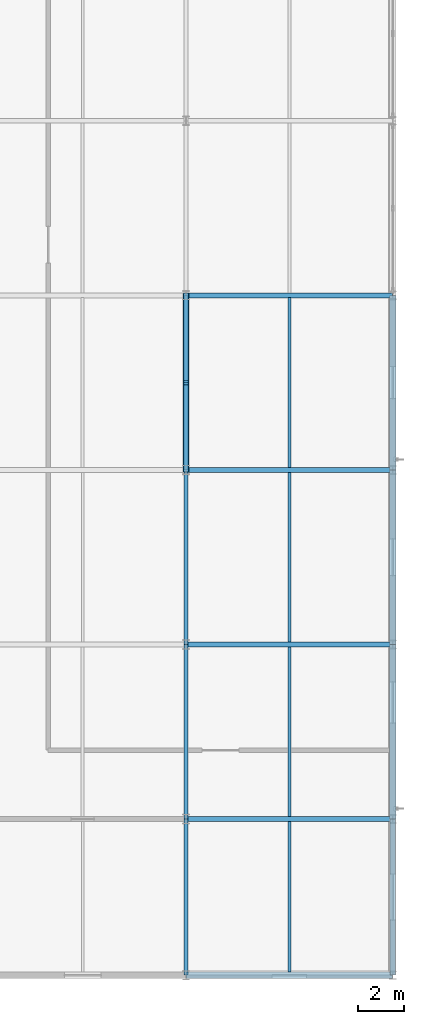
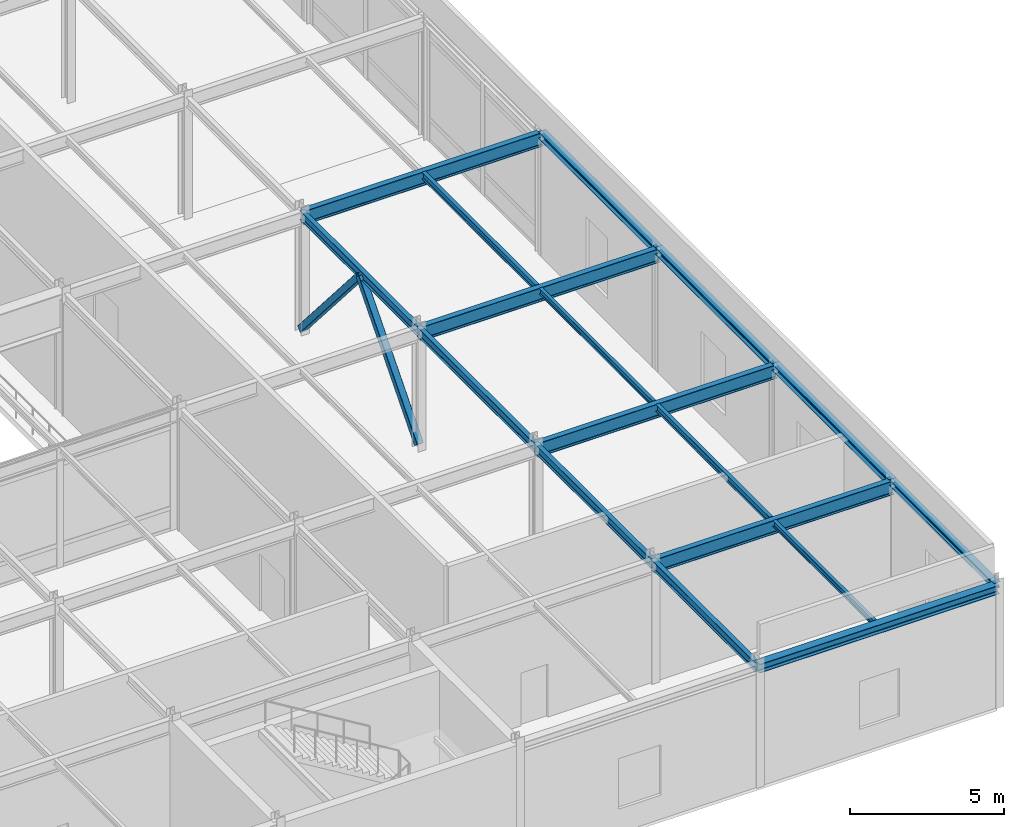
# One storey, part 45 of 79: 17 beams, 2 members.
"""IFC4 building model written with IfcOpenShell, lengths in metres."""

from ifc_helpers import new_model, si_unit, direction, frame, origin, origin_2d, place, context, subcontext, project, spatial, hollow_rectangle, i_section, extrude, material, material_profile, profile_set, type_object, element, save


model = new_model("IFC4")

# Units and contexts
model_context = context("Model", 3, precision=1e-05, world=origin(), true_north=direction((0.0, 1.0)))
body_context = subcontext(model_context, "Body", "Model", "MODEL_VIEW")
ifc_project = project(units=[si_unit("LENGTHUNIT", "METRE"), si_unit("AREAUNIT", "SQUARE_METRE"), si_unit("VOLUMEUNIT", "CUBIC_METRE"), si_unit("PLANEANGLEUNIT", "RADIAN"), si_unit("MASSUNIT", "GRAM", prefix="KILO")], contexts=[model_context])

# Site, building, storey
site_placement = place(None, origin())
site = spatial("IfcSite", under=ifc_project, at=site_placement, CompositionType="ELEMENT")
building_placement = place(site_placement, origin())
building = spatial("IfcBuilding", under=site, at=building_placement, Name="Shalkamar Park Central Library", CompositionType="ELEMENT")
storey_placement = place(building_placement, frame((0.0, 0.0, 10.5)))
storey = spatial("IfcBuildingStorey", under=building, at=storey_placement, Name="L03", CompositionType="ELEMENT", Elevation=10.5)

# Beams
ifc_material = material(Name="Steel S355", Category="steel")
ifc_material_profile_1 = material_profile(ifc_material, i_section(OverallWidth=0.1201171875, OverallDepth=0.239990234375, WebThickness=0.006103515625, FlangeThickness=0.009765625, FilletRadius=0.014892578125, at=origin_2d()), Name="IPE 240")
ifc_profile_set_1 = profile_set([ifc_material_profile_1], Name="Steel S355")
beam_type_1 = type_object("IfcBeamType", Name="Composite Floor Joist IPE240", PredefinedType="JOIST", material=ifc_profile_set_1)
beam_1_placement = place(storey_placement, frame((268.5, 248.548095703125, 4.72998046875), z_axis=(0.0, 1.0, 0.0), x_axis=(-1.0, 0.0, 0.0)))
element("IfcBeam", 1, at=beam_1_placement, inside=storey, type_object=beam_type_1, Name="Composite Joist 19/B-1 (L03)", PredefinedType="JOIST", context=body_context, shape_type="SweptSolid", body=[
    extrude(i_section(OverallWidth=0.1201171875, OverallDepth=0.239990234375, WebThickness=0.006103515625, FlangeThickness=0.009765625, FilletRadius=0.014892578125, at=origin_2d()), origin(), (0.0, 0.0, 1.0), 6.548828125),
])
beam_2_placement = place(storey_placement, frame((268.5, 262.903076171875, 4.72998046875), z_axis=(0.0, 1.0, 0.0), x_axis=(-1.0, 0.0, 0.0)))
element("IfcBeam", 2, at=beam_2_placement, inside=storey, type_object=beam_type_1, Name="Composite Joist 19/D-1 (L03)", PredefinedType="JOIST", context=body_context, shape_type="SweptSolid", body=[
    extrude(i_section(OverallWidth=0.1201171875, OverallDepth=0.239990234375, WebThickness=0.006103515625, FlangeThickness=0.009765625, FilletRadius=0.014892578125, at=origin_2d()), origin(), (0.0, 0.0, 1.0), 7.39404296875),
])
ifc_material_profile_2 = material_profile(ifc_material, i_section(OverallWidth=0.135009765625, OverallDepth=0.27001953125, WebThickness=0.006591796875, FlangeThickness=0.01025390625, FilletRadius=0.014892578125, at=origin_2d()), Name="IPE 270")
ifc_profile_set_2 = profile_set([ifc_material_profile_2], Name="Steel S355")
beam_type_2 = type_object("IfcBeamType", Name="Composite Floor Joist IPE270", PredefinedType="JOIST", material=ifc_profile_set_2)
for number, where, z_axis, x_axis, name in (
    (3, (268.5, 255.302978515625, 4.715087890625), (0.0, 1.0, 0.0), (-1.0, 0.0, 0.0), "Composite Joist 19/C-1 (L03)"),
    (4, (268.5, 270.5029296875, 4.715087890625), (0.0, 1.0, 0.0), (-1.0, 0.0, 0.0), "Composite Joist 19/E-1 (L03)"),
):
    element("IfcBeam", number, at=place(storey_placement, frame(where, z_axis=z_axis, x_axis=x_axis)), inside=storey, type_object=beam_type_2, Name=name, PredefinedType="JOIST", context=body_context, shape_type="SweptSolid", body=[
        extrude(i_section(OverallWidth=0.135009765625, OverallDepth=0.27001953125, WebThickness=0.006591796875, FlangeThickness=0.01025390625, FilletRadius=0.014892578125, at=origin_2d()), origin(), (0.0, 0.0, 1.0), 7.39404296875),
    ])

# Members
ifc_material_profile_3 = material_profile(ifc_material, hollow_rectangle(XDim=0.25, YDim=0.25, WallThickness=0.012451171875, InnerFilletRadius=0.012451171875, OuterFilletRadius=0.018798828125, at=origin_2d()), Name="SHS 250x250x12.5")
ifc_profile_set_3 = profile_set([ifc_material_profile_3], Name="Steel S355")
member_type = type_object("IfcMemberType", Name="Diagonal Brace SHS250", PredefinedType="BRACE", material=ifc_profile_set_3)
for number, where, z_axis, x_axis, name in (
    (5, (264.0, 270.39990234375, 0.14990234375), (0.0, 0.654464586562, 0.756092656316), (-1.0, 0.0, 0.0), "Chevron Brace PD-E Leg A (L03)"),
    (6, (264.0, 278.0, 0.14990234375), (0.0, -0.654464586562, 0.756092656316), (1.0, 0.0, 0.0), "Chevron Brace PD-E Leg B (L03)"),
):
    element("IfcMember", number, at=place(storey_placement, frame(where, z_axis=z_axis, x_axis=x_axis)), inside=storey, type_object=member_type, Name=name, PredefinedType="BRACE", context=body_context, shape_type="SweptSolid", body=[
        extrude(hollow_rectangle(XDim=0.25, YDim=0.25, WallThickness=0.012451171875, InnerFilletRadius=0.012451171875, OuterFilletRadius=0.018798828125, at=origin_2d()), origin(), (0.0, 0.0, 1.0), 5.806396484375),
    ])

# Beams
ifc_material_profile_4 = material_profile(ifc_material, i_section(OverallWidth=0.239990234375, OverallDepth=0.22998046875, WebThickness=0.007568359375, FlangeThickness=0.011962890625, FilletRadius=0.02099609375, at=origin_2d()), Name="HEA 240")
ifc_profile_set_4 = profile_set([ifc_material_profile_4], Name="Steel S355")
beam_type_3 = type_object("IfcBeamType", Name="Perimeter Spandrel Beam HEA240", PredefinedType="SPANDREL", material=ifc_profile_set_4)
beam_3_placement = place(storey_placement, frame((273.0, 248.39990234375, 4.735107421875), z_axis=(0.0, 1.0, 0.0), x_axis=(-1.0, 0.0, 0.0)))
element("IfcBeam", 7, at=beam_3_placement, inside=storey, type_object=beam_type_3, Name="Beam 20:B-C (L03)", PredefinedType="SPANDREL", context=body_context, shape_type="SweptSolid", body=[
    extrude(i_section(OverallWidth=0.239990234375, OverallDepth=0.22998046875, WebThickness=0.007568359375, FlangeThickness=0.011962890625, FilletRadius=0.02099609375, at=origin_2d()), origin(), (0.0, 0.0, 1.0), 6.800048828125),
])
ifc_material_profile_5 = material_profile(ifc_material, i_section(OverallWidth=0.280029296875, OverallDepth=0.27001953125, WebThickness=0.008056640625, FlangeThickness=0.012939453125, FilletRadius=0.02392578125, at=origin_2d()), Name="HEA 280")
ifc_profile_set_5 = profile_set([ifc_material_profile_5], Name="Steel S355")
beam_type_4 = type_object("IfcBeamType", Name="Perimeter Spandrel Beam HEA280", PredefinedType="SPANDREL", material=ifc_profile_set_5)
beam_4_placement = place(storey_placement, frame((273.0, 255.199951171875, 4.715087890625), z_axis=(0.0, 1.0, 0.0), x_axis=(-1.0, 0.0, 0.0)))
element("IfcBeam", 8, at=beam_4_placement, inside=storey, type_object=beam_type_4, Name="Beam 20:C-D (L03)", PredefinedType="SPANDREL", context=body_context, shape_type="SweptSolid", body=[
    extrude(i_section(OverallWidth=0.280029296875, OverallDepth=0.27001953125, WebThickness=0.008056640625, FlangeThickness=0.012939453125, FilletRadius=0.02392578125, at=origin_2d()), origin(), (0.0, 0.0, 1.0), 7.60009765625),
])
beam_5_placement = place(storey_placement, frame((273.0, 262.800048828125, 4.715087890625), z_axis=(0.0, 1.0, 0.0), x_axis=(-1.0, 0.0, 0.0)))
element("IfcBeam", 9, at=beam_5_placement, inside=storey, type_object=beam_type_4, Name="Beam 20:D-E (L03)", PredefinedType="SPANDREL", context=body_context, shape_type="SweptSolid", body=[
    extrude(i_section(OverallWidth=0.280029296875, OverallDepth=0.27001953125, WebThickness=0.008056640625, FlangeThickness=0.012939453125, FilletRadius=0.02392578125, at=origin_2d()), origin(), (0.0, 0.0, 1.0), 7.599853515625),
])
beam_6_placement = place(storey_placement, frame((273.0, 270.39990234375, 4.715087890625), z_axis=(0.0, 1.0, 0.0), x_axis=(-1.0, 0.0, 0.0)))
element("IfcBeam", 10, at=beam_6_placement, inside=storey, type_object=beam_type_4, Name="Beam 20:E-F (L03)", PredefinedType="SPANDREL", context=body_context, shape_type="SweptSolid", body=[
    extrude(i_section(OverallWidth=0.280029296875, OverallDepth=0.27001953125, WebThickness=0.008056640625, FlangeThickness=0.012939453125, FilletRadius=0.02392578125, at=origin_2d()), origin(), (0.0, 0.0, 1.0), 7.60009765625),
])
ifc_material_profile_6 = material_profile(ifc_material, i_section(OverallWidth=0.300048828125, OverallDepth=0.35009765625, WebThickness=0.010009765625, FlangeThickness=0.017578125, FilletRadius=0.027099609375, at=origin_2d()), Name="HEA 360")
ifc_profile_set_6 = profile_set([ifc_material_profile_6], Name="Steel S355")
beam_type_5 = type_object("IfcBeamType", Name="Perimeter Spandrel Beam HEA360", PredefinedType="SPANDREL", material=ifc_profile_set_6)
beam_7_placement = place(storey_placement, frame((264.0, 248.39990234375, 4.6650390625), z_axis=(1.0, 0.0, 0.0), x_axis=(0.0, 1.0, 0.0)))
element("IfcBeam", 11, at=beam_7_placement, inside=storey, type_object=beam_type_5, Name="Beam B:19-20 (L03)", PredefinedType="SPANDREL", context=body_context, shape_type="SweptSolid", body=[
    extrude(i_section(OverallWidth=0.300048828125, OverallDepth=0.35009765625, WebThickness=0.010009765625, FlangeThickness=0.017578125, FilletRadius=0.027099609375, at=origin_2d()), origin(), (0.0, 0.0, 1.0), 9.0),
])
ifc_material_profile_7 = material_profile(ifc_material, i_section(OverallWidth=0.169921875, OverallDepth=0.360107421875, WebThickness=0.008056640625, FlangeThickness=0.0126953125, FilletRadius=0.01806640625, at=origin_2d()), Name="IPE 360")
ifc_profile_set_7 = profile_set([ifc_material_profile_7], Name="Steel S355")
beam_type_6 = type_object("IfcBeamType", Name="Primary Girder IPE360", PredefinedType="BEAM", material=ifc_profile_set_7)
beam_8_placement = place(storey_placement, frame((264.0, 248.39990234375, 4.659912109375), z_axis=(0.0, 1.0, 0.0), x_axis=(-1.0, 0.0, 0.0)))
element("IfcBeam", 12, at=beam_8_placement, inside=storey, type_object=beam_type_6, Name="Beam 19:B-C (L03)", PredefinedType="BEAM", context=body_context, shape_type="SweptSolid", body=[
    extrude(i_section(OverallWidth=0.169921875, OverallDepth=0.360107421875, WebThickness=0.008056640625, FlangeThickness=0.0126953125, FilletRadius=0.01806640625, at=origin_2d()), origin(), (0.0, 0.0, 1.0), 6.800048828125),
])
beam_9_placement = place(storey_placement, frame((264.0, 255.199951171875, 4.659912109375), z_axis=(0.0, 1.0, 0.0), x_axis=(-1.0, 0.0, 0.0)))
element("IfcBeam", 13, at=beam_9_placement, inside=storey, type_object=beam_type_6, Name="Beam 19:C-D (L03)", PredefinedType="BEAM", context=body_context, shape_type="SweptSolid", body=[
    extrude(i_section(OverallWidth=0.169921875, OverallDepth=0.360107421875, WebThickness=0.008056640625, FlangeThickness=0.0126953125, FilletRadius=0.01806640625, at=origin_2d()), origin(), (0.0, 0.0, 1.0), 7.60009765625),
])
beam_10_placement = place(storey_placement, frame((264.0, 262.800048828125, 4.659912109375), z_axis=(0.0, 1.0, 0.0), x_axis=(-1.0, 0.0, 0.0)))
element("IfcBeam", 14, at=beam_10_placement, inside=storey, type_object=beam_type_6, Name="Beam 19:D-E (L03)", PredefinedType="BEAM", context=body_context, shape_type="SweptSolid", body=[
    extrude(i_section(OverallWidth=0.169921875, OverallDepth=0.360107421875, WebThickness=0.008056640625, FlangeThickness=0.0126953125, FilletRadius=0.01806640625, at=origin_2d()), origin(), (0.0, 0.0, 1.0), 7.599853515625),
])
beam_11_placement = place(storey_placement, frame((264.0, 270.39990234375, 4.659912109375), z_axis=(0.0, 1.0, 0.0), x_axis=(-1.0, 0.0, 0.0)))
element("IfcBeam", 15, at=beam_11_placement, inside=storey, type_object=beam_type_6, Name="Beam 19:E-F (L03)", PredefinedType="BEAM", context=body_context, shape_type="SweptSolid", body=[
    extrude(i_section(OverallWidth=0.169921875, OverallDepth=0.360107421875, WebThickness=0.008056640625, FlangeThickness=0.0126953125, FilletRadius=0.01806640625, at=origin_2d()), origin(), (0.0, 0.0, 1.0), 7.60009765625),
])
ifc_material_profile_8 = material_profile(ifc_material, i_section(OverallWidth=0.2099609375, OverallDepth=0.550048828125, WebThickness=0.010986328125, FlangeThickness=0.01708984375, FilletRadius=0.02392578125, at=origin_2d()), Name="IPE 550")
ifc_profile_set_8 = profile_set([ifc_material_profile_8], Name="Steel S355")
beam_type_7 = type_object("IfcBeamType", Name="Primary Girder IPE550", PredefinedType="BEAM", material=ifc_profile_set_8)
for number, where, z_axis, x_axis, name in (
    (16, (264.0, 255.199951171875, 4.56494140625), (1.0, 0.0, 0.0), (0.0, 1.0, 0.0), "Beam C:19-20 (L03)"),
    (17, (264.0, 262.800048828125, 4.56494140625), (1.0, 0.0, 0.0), (0.0, 1.0, 0.0), "Beam D:19-20 (L03)"),
    (18, (264.0, 270.39990234375, 4.56494140625), (1.0, 0.0, 0.0), (0.0, 1.0, 0.0), "Beam E:19-20 (L03)"),
    (19, (264.0, 278.0, 4.56494140625), (1.0, 0.0, 0.0), (0.0, 1.0, 0.0), "Beam F:19-20 (L03)"),
):
    element("IfcBeam", number, at=place(storey_placement, frame(where, z_axis=z_axis, x_axis=x_axis)), inside=storey, type_object=beam_type_7, Name=name, PredefinedType="BEAM", context=body_context, shape_type="SweptSolid", body=[
        extrude(i_section(OverallWidth=0.2099609375, OverallDepth=0.550048828125, WebThickness=0.010986328125, FlangeThickness=0.01708984375, FilletRadius=0.02392578125, at=origin_2d()), origin(), (0.0, 0.0, 1.0), 9.0),
    ])

save(model, "model.ifc")
